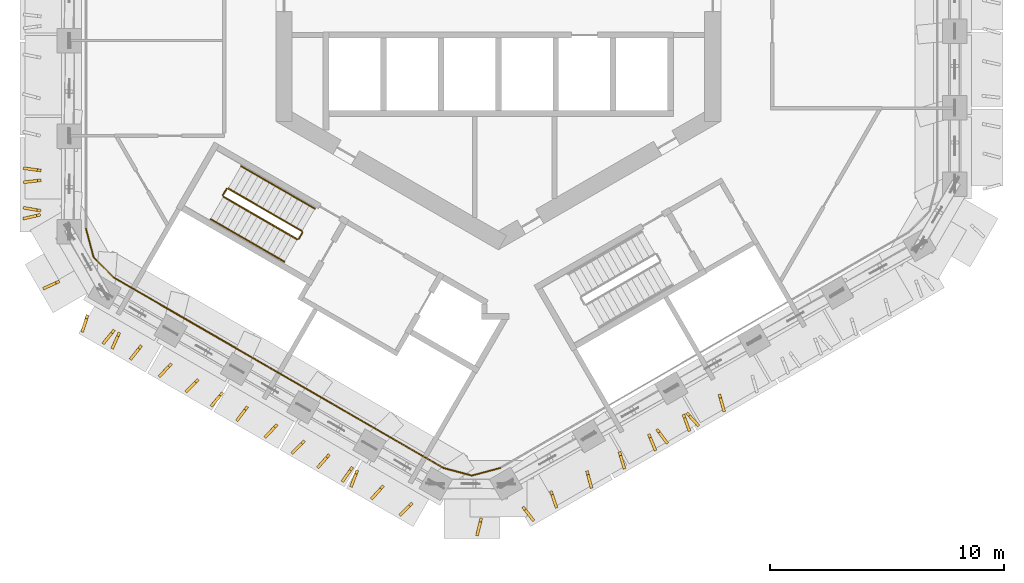
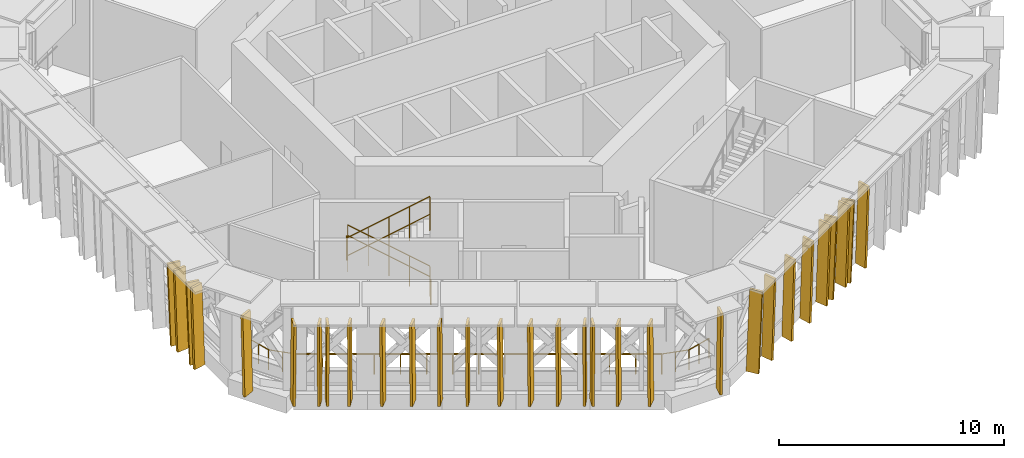
# One storey, part 14 of 18: 30 shading devices, 11 railings.
"""IFC4 building model written with IfcOpenShell, lengths in metres."""

from ifc_helpers import new_model, si_unit, direction, frame, origin, origin_2d, place, context, subcontext, project, spatial, polyline, circle, outline, extrude, material, layer, layer_set, type_object, element, save


model = new_model("IFC4")

# Units and contexts
model_context = context("Model", 3, precision=1e-05, world=origin(), true_north=direction((0.0, 1.0)))
body_context = subcontext(model_context, "Body", "Model", "MODEL_VIEW")
ifc_project = project(units=[si_unit("LENGTHUNIT", "METRE"), si_unit("AREAUNIT", "SQUARE_METRE"), si_unit("VOLUMEUNIT", "CUBIC_METRE"), si_unit("PLANEANGLEUNIT", "RADIAN"), si_unit("MASSUNIT", "GRAM", prefix="KILO")], contexts=[model_context])

# Site, building, storey
site_placement = place(None, origin())
site = spatial("IfcSite", under=ifc_project, at=site_placement, CompositionType="ELEMENT")
building_placement = place(site_placement, origin())
building = spatial("IfcBuilding", under=site, at=building_placement, Name="Ayvan Gate Tower", CompositionType="ELEMENT")
storey_placement = place(building_placement, frame((0.0, 0.0, 147.89990234375)))
storey = spatial("IfcBuildingStorey", under=building, at=storey_placement, Name="L39", CompositionType="ELEMENT", Elevation=147.89990234375)

# Shading devices
ifc_material_1 = material(Name="Bronze anodised aluminium", Category="aluminium")
ifc_layer = layer(ifc_material_1, 0.1201171875)
ifc_layer_set = layer_set([ifc_layer], Name="Bronze anodised aluminium")
shading_device_type = type_object("IfcShadingDeviceType", Name="Bronze fin 600 x 120", PredefinedType="USERDEFINED", material=ifc_layer_set)
shading_device_1_placement = place(storey_placement, frame((-19.513671875, -7.524169921875, 0.0), z_axis=(0.135494492905, 0.990778048717, 0.000317132544), x_axis=(-0.99077809854, 0.135494499718, 0.0)))
element("IfcShadingDevice", 1, at=shading_device_1_placement, inside=storey, type_object=shading_device_type, Name="Bronze fin FG14.3.48", ObjectType="FIN", PredefinedType="USERDEFINED", context=body_context, shape_type="SweptSolid", body=[
    extrude(outline(polyline([(0.0, 0.0), (0.6000157076051125, 3.3881317890172014e-21), (0.7654100946154888, 4.50000022628938), (0.16539438701037643, 4.50000022628938), (0.0, 0.0)])), origin(), (0.0, 0.0, -1.0), 0.1201171875),
])
shading_device_2_placement = place(storey_placement, frame((-19.523681640625, -7.938720703125, 0.0), z_axis=(-0.111302462496, 0.993786520716, 0.000336281827), x_axis=(-0.99378657691, -0.111302468767, -6.8002e-08)))
element("IfcShadingDevice", 2, at=shading_device_2_placement, inside=storey, type_object=shading_device_type, Name="Bronze fin FG14.3.49", ObjectType="FIN", PredefinedType="USERDEFINED", context=body_context, shape_type="SweptSolid", body=[
    extrude(outline(polyline([(0.0, 0.0), (0.5999053698211554, -3.3881317890172014e-21), (0.7651763973366296, 4.500000306476116), (0.1652438540611854, 4.500000224884334), (0.0, 0.0)])), origin(), (0.0, 0.0, -1.0), 0.1201171875),
])
shading_device_3_placement = place(storey_placement, frame((-19.52099609375, -9.24072265625, 0.0), z_axis=(0.17191639937, 0.985111486095, 0.000334052298), x_axis=(-0.985111541056, 0.171916408984, -6.6949e-08)))
element("IfcShadingDevice", 3, at=shading_device_3_placement, inside=storey, type_object=shading_device_type, Name="Bronze fin FG14.3.50", ObjectType="FIN", PredefinedType="USERDEFINED", context=body_context, shape_type="SweptSolid", body=[
    extrude(outline(polyline([(0.0, 0.0), (0.6000184770256822, 6.776263578034403e-21), (0.7655334164659835, 4.500000302331481), (0.16555691121983845, 4.500000221992793), (0.0, 0.0)])), origin(), (0.0, 0.0, -1.0), 0.1201171875),
])
shading_device_4_placement = place(storey_placement, frame((-19.56103515625, -9.41162109375, 0.0), z_axis=(-0.220741655641, 0.975332255432, 0.000336122757), x_axis=(-0.975332310523, -0.220741668133, 6.6694e-08)))
element("IfcShadingDevice", 4, at=shading_device_4_placement, inside=storey, type_object=shading_device_type, Name="Bronze fin FG14.3.51", ObjectType="FIN", PredefinedType="USERDEFINED", context=body_context, shape_type="SweptSolid", body=[
    extrude(outline(polyline([(0.0, 0.0), (0.6000327817674581, 0.0), (0.7653062633337754, 4.500000203160474), (0.1653273735751387, 4.500000283193839), (0.0, 0.0)])), origin(), (0.0, 0.0, -1.0), 0.1201171875),
])
shading_device_5_placement = place(storey_placement, frame((-18.764892578125, -12.258056640625, 0.0), z_axis=(-0.413864240271, 0.910338550134, 0.000338768544), x_axis=(-0.910338602371, -0.41386426402, 0.0)))
element("IfcShadingDevice", 5, at=shading_device_5_placement, inside=storey, type_object=shading_device_type, Name="Bronze fin FG14.4.52", ObjectType="FIN", PredefinedType="USERDEFINED", context=body_context, shape_type="SweptSolid", body=[
    extrude(outline(polyline([(0.0, 0.0), (0.5999334497101456, 0.0), (0.7652930887154301, 4.500000258219308), (0.16535963900528447, 4.500000258219308), (0.0, 0.0)])), origin(), (0.0, 0.0, -1.0), 0.1201171875),
])
shading_device_6_placement = place(storey_placement, frame((-17.59375, -13.73193359375, 0.0), z_axis=(-0.952791990777, 0.303623590397, 0.000371031729), x_axis=(-0.303623611296, -0.95279205636, 0.0)))
element("IfcShadingDevice", 6, at=shading_device_6_placement, inside=storey, type_object=shading_device_type, Name="Bronze fin FG14.5.53", ObjectType="FIN", PredefinedType="USERDEFINED", context=body_context, shape_type="SweptSolid", body=[
    extrude(outline(polyline([(0.0, 0.0), (0.5998509321207594, 0.0), (0.7651042424511092, 4.500000309745255), (0.16525331033034976, 4.500000309745255), (0.0, 0.0)])), origin(), (0.0, 0.0, -1.0), 0.1201171875),
])
shading_device_7_placement = place(storey_placement, frame((-16.443603515625, -14.3505859375, 0.0), z_axis=(-0.774075071317, 0.633093724556, 0.000346256683), x_axis=(-0.63309376252, -0.77407511771, -4.4603e-08)))
element("IfcShadingDevice", 7, at=shading_device_7_placement, inside=storey, type_object=shading_device_type, Name="Bronze fin FG14.5.54", ObjectType="FIN", PredefinedType="USERDEFINED", context=body_context, shape_type="SweptSolid", body=[
    extrude(outline(polyline([(0.0, 0.0), (0.5999474532143985, -1.3552527156068805e-20), (0.765454452837627, 4.500000303902316), (0.16531801644019395, 4.500000250375101), (0.0, 0.0)])), origin(), (0.0, 0.0, -1.0), 0.1201171875),
])
shading_device_8_placement = place(storey_placement, frame((-16.2333984375, -14.47412109375, 0.0), z_axis=(-0.911013260404, 0.41237692694, 0.000330902293), x_axis=(-0.412376949536, -0.911013310271, -6.1324e-08)))
element("IfcShadingDevice", 8, at=shading_device_8_placement, inside=storey, type_object=shading_device_type, Name="Bronze fin FG14.5.55", ObjectType="FIN", PredefinedType="USERDEFINED", context=body_context, shape_type="SweptSolid", body=[
    extrude(outline(polyline([(0.0, 0.0), (0.6000754464176833, 1.3552527156068805e-20), (0.7652353624240198, 4.500000293293866), (0.16526059397253168, 4.5000002197022875), (0.0, 0.0)])), origin(), (0.0, 0.0, -1.0), 0.1201171875),
])
shading_device_9_placement = place(storey_placement, frame((-15.28515625, -15.016357421875, 0.0), z_axis=(-0.782057955923, 0.62320561169, 0.000345162013), x_axis=(-0.623205648801, -0.782058002518, 4.3745e-08)))
element("IfcShadingDevice", 9, at=shading_device_9_placement, inside=storey, type_object=shading_device_type, Name="Bronze fin FG14.5.56", ObjectType="FIN", PredefinedType="USERDEFINED", context=body_context, shape_type="SweptSolid", body=[
    extrude(outline(polyline([(0.0, 0.0), (0.6002560041028668, 2.710505431213761e-20), (0.7654694995127773, 4.500000234572438), (0.16540442753943152, 4.5000002870804225), (0.0, 0.0)])), origin(), (0.0, 0.0, -1.0), 0.1201171875),
])
shading_device_10_placement = place(storey_placement, frame((-13.99755859375, -15.789306640625, 0.0), z_axis=(-0.719709892169, 0.694274852157, 0.000317452262), x_axis=(-0.694274887151, -0.719709928424, -4.4853e-08)))
element("IfcShadingDevice", 10, at=shading_device_10_placement, inside=storey, type_object=shading_device_type, Name="Bronze fin FG14.5.58", ObjectType="FIN", PredefinedType="USERDEFINED", context=body_context, shape_type="SweptSolid", body=[
    extrude(outline(polyline([(0.0, 0.0), (0.5998242458331255, 1.3552527156068805e-20), (0.7652609048804615, 4.50000026107048), (0.16526094861559174, 4.5000002072542165), (0.0, 0.0)])), origin(), (0.0, 0.0, -1.0), 0.1201171875),
])
shading_device_11_placement = place(storey_placement, frame((-12.851806640625, -16.455322265625, 0.0), z_axis=(-0.711669562345, 0.702514293533, 0.000318454211), x_axis=(-0.702514329166, -0.711669598421, -4.6102e-08)))
element("IfcShadingDevice", 11, at=shading_device_11_placement, inside=storey, type_object=shading_device_type, Name="Bronze fin FG14.5.60", ObjectType="FIN", PredefinedType="USERDEFINED", context=body_context, shape_type="SweptSolid", body=[
    extrude(outline(polyline([(0.0, 0.0), (0.6000860288348842, 0.0), (0.7653093745656978, 4.500000263461931), (0.16539485801820752, 4.5000002081392285), (0.0, 0.0)])), origin(), (0.0, 0.0, -1.0), 0.1201171875),
])
shading_device_12_placement = place(storey_placement, frame((-11.815673828125, -17.02734375, 0.0), z_axis=(-0.762420899449, 0.647081345023, 0.000324047282), x_axis=(-0.647081378985, -0.762420939489, 5.0264e-08)))
element("IfcShadingDevice", 12, at=shading_device_12_placement, inside=storey, type_object=shading_device_type, Name="Bronze fin FG14.5.62", ObjectType="FIN", PredefinedType="USERDEFINED", context=body_context, shape_type="SweptSolid", body=[
    extrude(outline(polyline([(0.0, 0.0), (0.6000088459931687, 1.3552527156068805e-20), (0.7653636149083409, 4.500000197794859), (0.16519679006288104, 4.500000258120288), (0.0, 0.0)])), origin(), (0.0, 0.0, -1.0), 0.1201171875),
])
shading_device_13_placement = place(storey_placement, frame((-10.7587890625, -17.625, 0.0), z_axis=(-0.797305761331, 0.603575520191, 0.000338192025), x_axis=(-0.603575554708, -0.797305806927, 0.0)))
element("IfcShadingDevice", 13, at=shading_device_13_placement, inside=storey, type_object=shading_device_type, Name="Bronze fin FG14.5.64", ObjectType="FIN", PredefinedType="USERDEFINED", context=body_context, shape_type="SweptSolid", body=[
    extrude(outline(polyline([(0.0, 0.0), (0.5998595271975682, 2.710505431213761e-20), (0.7652840591971097, 4.500000257341177), (0.16542453199954166, 4.500000257341177), (0.0, 0.0)])), origin(), (0.0, 0.0, -1.0), 0.1201171875),
])
shading_device_14_placement = place(storey_placement, frame((-9.48974609375, -18.385986328125, 0.0), z_axis=(-0.730215707101, 0.683216590817, 0.000333370045), x_axis=(-0.683216628793, -0.730215747666, -4.6348e-08)))
element("IfcShadingDevice", 14, at=shading_device_14_placement, inside=storey, type_object=shading_device_type, Name="Bronze fin FG14.5.66", ObjectType="FIN", PredefinedType="USERDEFINED", context=body_context, shape_type="SweptSolid", body=[
    extrude(outline(polyline([(0.0, 0.0), (0.5998847097309231, 2.710505431213761e-20), (0.7652387184696987, 4.500000285522075), (0.16517573340975553, 4.500000229907378), (0.0, 0.0)])), origin(), (0.0, 0.0, -1.0), 0.1201171875),
])
shading_device_15_placement = place(storey_placement, frame((-8.318115234375, -19.0751953125, 0.0), z_axis=(-0.707818475742, 0.706394293699, 0.000327456787), x_axis=(-0.70639433156, -0.707818513702, 4.7055e-08)))
element("IfcShadingDevice", 15, at=shading_device_15_placement, inside=storey, type_object=shading_device_type, Name="Bronze fin FG14.5.68", ObjectType="FIN", PredefinedType="USERDEFINED", context=body_context, shape_type="SweptSolid", body=[
    extrude(outline(polyline([(0.0, 0.0), (0.6000744075757728, 1.3552527156068805e-20), (0.7652863515689781, 4.500000205252326), (0.1653847512475271, 4.500000261717246), (0.0, 0.0)])), origin(), (0.0, 0.0, -1.0), 0.1201171875),
])
shading_device_16_placement = place(storey_placement, frame((-7.258544921875, -19.66552734375, 0.0), z_axis=(-0.746814102392, 0.665032770558, 0.000332493163), x_axis=(-0.665032807295, -0.746814143694, 9.5497e-08)))
element("IfcShadingDevice", 16, at=shading_device_16_placement, inside=storey, type_object=shading_device_type, Name="Bronze fin FG14.5.70", ObjectType="FIN", PredefinedType="USERDEFINED", context=body_context, shape_type="SweptSolid", body=[
    extrude(outline(polyline([(0.0, 0.0), (0.6000523376323523, -2.710505431213761e-20), (0.7652707925641444, 4.50000017566005), (0.1652384210783738, 4.500000290264945), (0.0, 0.0)])), origin(), (0.0, 0.0, -1.0), 0.1201171875),
])
shading_device_17_placement = place(storey_placement, frame((-6.27294921875, -20.210693359375, 0.0), z_axis=(-0.814502420698, 0.580160065892, 0.000323453632), x_axis=(-0.58016009624, -0.814502463305, 0.0)))
element("IfcShadingDevice", 17, at=shading_device_17_placement, inside=storey, type_object=shading_device_type, Name="Bronze fin FG14.5.72", ObjectType="FIN", PredefinedType="USERDEFINED", context=body_context, shape_type="SweptSolid", body=[
    extrude(outline(polyline([(0.0, 0.0), (0.6000835519472492, 0.0), (0.7654036165165099, 4.500000235400084), (0.1653200645692608, 4.500000235400084), (0.0, 0.0)])), origin(), (0.0, 0.0, -1.0), 0.1201171875),
])
shading_device_18_placement = place(storey_placement, frame((-6.075927734375, -20.357177734375, 0.0), z_axis=(-0.933941967908, 0.35742453444, 0.000320561615), x_axis=(-0.357424552779, -0.933942015904, 8.4202e-08)))
element("IfcShadingDevice", 18, at=shading_device_18_placement, inside=storey, type_object=shading_device_type, Name="Bronze fin FG14.5.73", ObjectType="FIN", PredefinedType="USERDEFINED", context=body_context, shape_type="SweptSolid", body=[
    extrude(outline(polyline([(0.0, 0.0), (0.6001341859998582, 1.3552527156068805e-20), (0.7653759850975435, 4.50000016676323), (0.16538255043145594, 4.500000267816455), (0.0, 0.0)])), origin(), (0.0, 0.0, -1.0), 0.1201171875),
])
shading_device_19_placement = place(storey_placement, frame((-4.951904296875, -21.0, 0.0), z_axis=(-0.741328456394, 0.671142310001, 0.000345641694), x_axis=(-0.671142350077, -0.741328500688, 5.2135e-08)))
element("IfcShadingDevice", 19, at=shading_device_19_placement, inside=storey, type_object=shading_device_type, Name="Bronze fin FG14.5.74", ObjectType="FIN", PredefinedType="USERDEFINED", context=body_context, shape_type="SweptSolid", body=[
    extrude(outline(polyline([(0.0, 0.0), (0.5999546541824934, -1.3552527156068805e-20), (0.7652689217199111, 4.500000228906227), (0.16515041442460582, 4.500000291471908), (0.0, 0.0)])), origin(), (0.0, 0.0, -1.0), 0.1201171875),
])
shading_device_20_placement = place(storey_placement, frame((-3.713623046875, -21.734130859375, 0.0), z_axis=(-0.70710673904, 0.70710673904, 0.000345266962), x_axis=(-0.707106781211, -0.707106781162, -9.9357e-08)))
element("IfcShadingDevice", 20, at=shading_device_20_placement, inside=storey, type_object=shading_device_type, Name="Bronze fin FG14.5.76", ObjectType="FIN", PredefinedType="USERDEFINED", context=body_context, shape_type="SweptSolid", body=[
    extrude(outline(polyline([(0.0, 0.0), (0.5999013829646642, 0.0), (0.7652838207139301, 4.500000344257526), (0.16538243774927763, 4.500000225048243), (0.0, 0.0)])), origin(), (0.0, 0.0, -1.0), 0.1201171875),
])
shading_device_21_placement = place(storey_placement, frame((-0.786376953125, -22.41259765625, 0.0), z_axis=(-0.970559822696, 0.240859951807, 0.000337911572), x_axis=(-0.240859965553, -0.970559878108, 1.6554e-08)))
element("IfcShadingDevice", 21, at=shading_device_21_placement, inside=storey, type_object=shading_device_type, Name="Bronze fin FG14.6.78", ObjectType="FIN", PredefinedType="USERDEFINED", context=body_context, shape_type="SweptSolid", body=[
    extrude(outline(polyline([(0.0, 0.0), (0.6001818771420989, 6.776263578034403e-21), (0.7653292695993213, 4.500000244245517), (0.16538434555246373, 4.500000264112046), (0.0, 0.0)])), origin(), (0.0, 0.0, -1.0), 0.1201171875),
])
shading_device_22_placement = place(storey_placement, frame((0.998046875, -21.974609375, 0.0), z_axis=(-0.791276008832, -0.611459044357, 0.000338999355), x_axis=(0.611459079492, -0.791276054299, 0.0)))
element("IfcShadingDevice", 22, at=shading_device_22_placement, inside=storey, type_object=shading_device_type, Name="Bronze fin FG14.7.79", ObjectType="FIN", PredefinedType="USERDEFINED", context=body_context, shape_type="SweptSolid", body=[
    extrude(outline(polyline([(0.0, 0.0), (0.6001110649628388, 2.710505431213761e-20), (0.7654333831254725, 4.500000258571288), (0.1653223181626337, 4.500000258571288), (0.0, 0.0)])), origin(), (0.0, 0.0, -1.0), 0.1201171875),
])
shading_device_23_placement = place(storey_placement, frame((2.18408203125, -21.28564453125, 0.0), z_axis=(-0.9456709062, -0.325125238405, 0.000341347803), x_axis=(0.325125257347, -0.945670961294, 0.0)))
element("IfcShadingDevice", 23, at=shading_device_23_placement, inside=storey, type_object=shading_device_type, Name="Bronze fin FG14.7.80", ObjectType="FIN", PredefinedType="USERDEFINED", context=body_context, shape_type="SweptSolid", body=[
    extrude(outline(polyline([(0.0, 0.0), (0.599979100260721, 0.0), (0.7652174746420941, 4.500000262166249), (0.16523837438137307, 4.500000262166249), (0.0, 0.0)])), origin(), (0.0, 0.0, -1.0), 0.1201171875),
])
shading_device_24_placement = place(storey_placement, frame((3.722900390625, -20.421630859375, 0.0), z_axis=(-0.965269086687, -0.261257484677, 0.000342033575), x_axis=(0.261257499959, -0.965269143149, 0.0)))
element("IfcShadingDevice", 24, at=shading_device_24_placement, inside=storey, type_object=shading_device_type, Name="Bronze fin FG14.7.82", ObjectType="FIN", PredefinedType="USERDEFINED", context=body_context, shape_type="SweptSolid", body=[
    extrude(outline(polyline([(0.0, 0.0), (0.5999379205377382, 0.0), (0.7652615542841973, 4.500000263220697), (0.16532363374645903, 4.500000263220697), (0.0, 0.0)])), origin(), (0.0, 0.0, -1.0), 0.1201171875),
])
shading_device_25_placement = place(storey_placement, frame((5.110595703125, -19.610107421875, 0.0), z_axis=(-0.958328746343, -0.285667422477, 0.000371035532), x_axis=(0.28566744214, -0.958328812309, 0.0)))
element("IfcShadingDevice", 25, at=shading_device_25_placement, inside=storey, type_object=shading_device_type, Name="Bronze fin FG14.7.84", ObjectType="FIN", PredefinedType="USERDEFINED", context=body_context, shape_type="SweptSolid", body=[
    extrude(outline(polyline([(0.0, 0.0), (0.5999518792405999, 1.3552527156068805e-20), (0.7652771307034405, 4.500000309751607), (0.16532525146284052, 4.500000309751607), (0.0, 0.0)])), origin(), (0.0, 0.0, -1.0), 0.1201171875),
])
shading_device_26_placement = place(storey_placement, frame((6.364990234375, -18.857177734375, 0.0), z_axis=(-0.924365901261, -0.381506948022, 0.000359440039), x_axis=(0.381506972654, -0.924365960979, -3.9713e-08)))
element("IfcShadingDevice", 26, at=shading_device_26_placement, inside=storey, type_object=shading_device_type, Name="Bronze fin FG14.7.86", ObjectType="FIN", PredefinedType="USERDEFINED", context=body_context, shape_type="SweptSolid", body=[
    extrude(outline(polyline([(0.0, 0.0), (0.5997820143456538, -2.710505431213761e-20), (0.7652856704536908, 4.500000321085209), (0.16518483947384932, 4.500000273434546), (0.0, 0.0)])), origin(), (0.0, 0.0, -1.0), 0.1201171875),
])
shading_device_27_placement = place(storey_placement, frame((6.720458984375, -18.664794921875, 0.0), z_axis=(-0.803308364197, -0.595563217327, 0.000355215355), x_axis=(0.595563254884, -0.80330841489, -5.8067e-08)))
element("IfcShadingDevice", 27, at=shading_device_27_placement, inside=storey, type_object=shading_device_type, Name="Bronze fin FG14.7.87", ObjectType="FIN", PredefinedType="USERDEFINED", context=body_context, shape_type="SweptSolid", body=[
    extrude(outline(polyline([(0.0, 0.0), (0.5998632453336878, 1.3552527156068805e-20), (0.7652369867865288, 4.500000328335686), (0.16522834026756655, 4.50000025866233), (0.0, 0.0)])), origin(), (0.0, 0.0, -1.0), 0.1201171875),
])
shading_device_28_placement = place(storey_placement, frame((7.843017578125, -18.013427734375, 0.0), z_axis=(-0.939745833095, -0.341873754785, 0.000323990989), x_axis=(0.341873772729, -0.939745882417, 0.0)))
element("IfcShadingDevice", 28, at=shading_device_28_placement, inside=storey, type_object=shading_device_type, Name="Bronze fin FG14.7.88", ObjectType="FIN", PredefinedType="USERDEFINED", context=body_context, shape_type="SweptSolid", body=[
    extrude(outline(polyline([(0.0, 0.0), (0.5998650418929744, 0.0), (0.7651050256794153, 4.500000236182881), (0.16523998378644086, 4.500000236182881), (0.0, 0.0)])), origin(), (0.0, 0.0, -1.0), 0.1201171875),
])
shading_device_29_placement = place(storey_placement, frame((7.9970703125, -17.97021484375, 0.0), z_axis=(-0.733937136758, -0.679217322516, 0.000328757597), x_axis=(0.679217359233, -0.73393717641, 4.9076e-08)))
element("IfcShadingDevice", 29, at=shading_device_29_placement, inside=storey, type_object=shading_device_type, Name="Bronze fin FG14.7.89", ObjectType="FIN", PredefinedType="USERDEFINED", context=body_context, shape_type="SweptSolid", body=[
    extrude(outline(polyline([(0.0, 0.0), (0.6001747207428181, -2.710505431213761e-20), (0.7654551863723518, 4.500000205618234), (0.1654462901801277, 4.5000002645181585), (0.0, 0.0)])), origin(), (0.0, 0.0, -1.0), 0.1201171875),
])
shading_device_30_placement = place(storey_placement, frame((9.379638671875, -17.153076171875, 0.0), z_axis=(-0.963785485664, -0.266678508169, 0.000333023234), x_axis=(0.266678522978, -0.963785539102, 6.5285e-08)))
element("IfcShadingDevice", 30, at=shading_device_30_placement, inside=storey, type_object=shading_device_type, Name="Bronze fin FG14.7.90", ObjectType="FIN", PredefinedType="USERDEFINED", context=body_context, shape_type="SweptSolid", body=[
    extrude(outline(polyline([(0.0, 0.0), (0.600134046192962, -6.776263578034403e-21), (0.7654240351020478, 4.500000199564009), (0.16535509597035983, 4.50000027791986), (0.0, 0.0)])), origin(), (0.0, 0.0, -1.0), 0.1201171875),
])

# Railings
ifc_material_2 = material(Name="Stainless steel balustrade", Category="steel")
railing_type_1 = type_object("IfcRailingType", Name="RL-GUARD-1100", PredefinedType="GUARDRAIL", material=ifc_material_2)
railing_1_placement = place(storey_placement, frame((-8.381103515625, -10.16650390625, 0.171630859375)))
element("IfcRailing", 31, at=railing_1_placement, inside=storey, type_object=railing_type_1, Name="L39 STS2 stair guard 1", PredefinedType="GUARDRAIL", context=body_context, shape_type="SweptSolid", body=[
    extrude(circle(Radius=0.02392578125, at=origin_2d()), frame((0.0, 0.0, 1.076171875), z_axis=(-0.738592093898, 0.426440834883, 0.522139764025), x_axis=(-0.500012742938, -0.866018046521, 0.0)), (0.0, 0.0, 1.0), 4.26806640625),
    extrude(circle(Radius=0.02099609375, at=origin_2d()), origin(), (0.0, 0.0, 1.0), 1.052001953125),
    extrude(circle(Radius=0.02099609375, at=origin_2d()), frame((-0.7880859375, 0.455078125, 0.55712890625)), (0.0, 0.0, 1.0), 1.052001953125),
    extrude(circle(Radius=0.02099609375, at=origin_2d()), frame((-1.576171875, 0.91015625, 1.1142578125)), (0.0, 0.0, 1.0), 1.052001953125),
    extrude(circle(Radius=0.02099609375, at=origin_2d()), frame((-2.3642578125, 1.364990234375, 1.67138671875)), (0.0, 0.0, 1.0), 1.052001953125),
    extrude(circle(Radius=0.02099609375, at=origin_2d()), frame((-3.15234375, 1.820068359375, 2.228515625)), (0.0, 0.0, 1.0), 1.052001953125),
])
railing_2_placement = place(storey_placement, frame((-11.601806640625, -8.36474609375, 2.400146484375)))
element("IfcRailing", 32, at=railing_2_placement, inside=storey, type_object=railing_type_1, Name="L39 STS2 stair guard 2", PredefinedType="GUARDRAIL", context=body_context, shape_type="SweptSolid", body=[
    extrude(circle(Radius=0.02392578125, at=origin_2d()), frame((0.0, 0.0, 1.076171875), z_axis=(-0.499949632511, -0.866054481515, 0.0), x_axis=(0.866054481515, -0.499949632511, 0.0)), (0.0, 0.0, 1.0), 0.31005859375),
    extrude(circle(Radius=0.02099609375, at=origin_2d()), origin(), (0.0, 0.0, 1.0), 1.052001953125),
    extrude(circle(Radius=0.02099609375, at=origin_2d()), frame((-0.155029296875, -0.2685546875, 0.0)), (0.0, 0.0, 1.0), 1.052001953125),
])
railing_3_placement = place(storey_placement, frame((-11.738525390625, -8.70166015625, 2.571533203125)))
element("IfcRailing", 33, at=railing_3_placement, inside=storey, type_object=railing_type_1, Name="L39 STS2 stair guard 3", PredefinedType="GUARDRAIL", context=body_context, shape_type="SweptSolid", body=[
    extrude(circle(Radius=0.02392578125, at=origin_2d()), frame((0.0, 0.0, 1.076171875), z_axis=(0.738610110021, -0.426394033464, 0.52215250033), x_axis=(0.499962438169, 0.866047089031, 0.0)), (0.0, 0.0, 1.0), 4.267822265625),
    extrude(circle(Radius=0.02099609375, at=origin_2d()), origin(), (0.0, 0.0, 1.0), 1.052001953125),
    extrude(circle(Radius=0.02099609375, at=origin_2d()), frame((0.7880859375, -0.455078125, 0.55712890625)), (0.0, 0.0, 1.0), 1.052001953125),
    extrude(circle(Radius=0.02099609375, at=origin_2d()), frame((1.576171875, -0.909912109375, 1.1142578125)), (0.0, 0.0, 1.0), 1.052001953125),
    extrude(circle(Radius=0.02099609375, at=origin_2d()), frame((2.3642578125, -1.36474609375, 1.67138671875)), (0.0, 0.0, 1.0), 1.052001953125),
    extrude(circle(Radius=0.02099609375, at=origin_2d()), frame((3.15234375, -1.81982421875, 2.228515625)), (0.0, 0.0, 1.0), 1.052001953125),
])
railing_4_placement = place(storey_placement, frame((-8.36279296875, -10.23486328125, 0.0)))
element("IfcRailing", 34, at=railing_4_placement, inside=storey, type_object=railing_type_1, Name="L39 STS2 stair guard 4", PredefinedType="GUARDRAIL", context=body_context, shape_type="SweptSolid", body=[
    extrude(circle(Radius=0.02392578125, at=origin_2d()), frame((0.0, 0.0, 1.076171875), z_axis=(-0.500290723946, -0.86585748916, 0.0), x_axis=(0.86585748916, -0.500290723946, 0.0)), (0.0, 0.0, 1.0), 0.309814453125),
    extrude(circle(Radius=0.02099609375, at=origin_2d()), origin(), (0.0, 0.0, 1.0), 1.052001953125),
    extrude(circle(Radius=0.02099609375, at=origin_2d()), frame((-0.155029296875, -0.268310546875, 0.0)), (0.0, 0.0, 1.0), 1.052001953125),
])
railing_type_2 = type_object("IfcRailingType", Name="RL-HANDRAIL-900", PredefinedType="HANDRAIL", material=ifc_material_2)
railing_5_placement = place(storey_placement, frame((-7.8310546875, -9.2138671875, 0.171630859375)))
element("IfcRailing", 35, at=railing_5_placement, inside=storey, type_object=railing_type_2, Name="L39 STS2 stair handrail 1", PredefinedType="HANDRAIL", context=body_context, shape_type="SweptSolid", body=[
    extrude(circle(Radius=0.02392578125, at=origin_2d()), frame((0.0, 0.0, 0.8759765625), z_axis=(-0.738610110021, 0.426394033464, 0.52215250033), x_axis=(-0.499962438169, -0.866047089031, 0.0)), (0.0, 0.0, 1.0), 2.134033203125),
    extrude(circle(Radius=0.02099609375, at=origin_2d()), origin(), (0.0, 0.0, 1.0), 0.851806640625),
    extrude(circle(Radius=0.02099609375, at=origin_2d()), frame((-0.7880859375, 0.455078125, 0.55712890625)), (0.0, 0.0, 1.0), 0.851806640625),
    extrude(circle(Radius=0.02099609375, at=origin_2d()), frame((-1.576171875, 0.909912109375, 1.1142578125)), (0.0, 0.0, 1.0), 0.851806640625),
])
railing_6_placement = place(storey_placement, frame((-9.4072265625, -8.303955078125, 1.285888671875)))
element("IfcRailing", 36, at=railing_6_placement, inside=storey, type_object=railing_type_2, Name="L39 STS2 stair handrail 2", PredefinedType="HANDRAIL", context=body_context, shape_type="SweptSolid", body=[
    extrude(circle(Radius=0.02392578125, at=origin_2d()), frame((0.0, 0.0, 0.8759765625), z_axis=(-0.738574076676, 0.426487632876, 0.522127026944), x_axis=(-0.500063042646, -0.865989003036, 0.0)), (0.0, 0.0, 1.0), 2.134033203125),
    extrude(circle(Radius=0.02099609375, at=origin_2d()), origin(), (0.0, 0.0, 1.0), 0.851806640625),
    extrude(circle(Radius=0.02099609375, at=origin_2d()), frame((-0.7880859375, 0.455078125, 0.55712890625)), (0.0, 0.0, 1.0), 0.851806640625),
    extrude(circle(Radius=0.02099609375, at=origin_2d()), frame((-1.576171875, 0.91015625, 1.1142578125)), (0.0, 0.0, 1.0), 0.851806640625),
])
for number, where, name in (
    (37, (-12.288330078125, -9.654296875, 2.571533203125), "L39 STS2 stair handrail 3"),
    (38, (-10.712158203125, -10.564208984375, 3.685791015625), "L39 STS2 stair handrail 4"),
):
    element("IfcRailing", number, at=place(storey_placement, frame(where)), inside=storey, type_object=railing_type_2, Name=name, PredefinedType="HANDRAIL", context=body_context, shape_type="SweptSolid", body=[
        extrude(circle(Radius=0.02392578125, at=origin_2d()), frame((0.0, 0.0, 0.8759765625), z_axis=(0.738610110021, -0.426394033464, 0.52215250033), x_axis=(0.499962438169, 0.866047089031, 0.0)), (0.0, 0.0, 1.0), 2.134033203125),
        extrude(circle(Radius=0.02099609375, at=origin_2d()), origin(), (0.0, 0.0, 1.0), 0.851806640625),
        extrude(circle(Radius=0.02099609375, at=origin_2d()), frame((0.7880859375, -0.455078125, 0.55712890625)), (0.0, 0.0, 1.0), 0.851806640625),
        extrude(circle(Radius=0.02099609375, at=origin_2d()), frame((1.576171875, -0.909912109375, 1.1142578125)), (0.0, 0.0, 1.0), 0.851806640625),
    ])
ifc_material_3 = material(Name="Stainless steel 316 and laminated glass", Category="steel")
railing_type_3 = type_object("IfcRailingType", Name="Refuge band guard 1100", PredefinedType="GUARDRAIL", material=ifc_material_3)
railing_7_placement = place(storey_placement, frame((-17.6044921875, -10.072265625, 0.0)))
element("IfcRailing", 39, at=railing_7_placement, inside=storey, type_object=railing_type_3, Name="Refuge band guard L39.4", PredefinedType="GUARDRAIL", context=body_context, shape_type="SweptSolid", body=[
    extrude(circle(Radius=0.02490234375, at=origin_2d()), frame((0.0, 0.0, 1.0751953125), z_axis=(0.258911363806, -0.965901084838, 0.0), x_axis=(0.965901084838, 0.258911363806, 0.0)), (0.0, 0.0, 1.0), 1.253173828125),
    extrude(circle(Radius=0.02490234375, at=origin_2d()), frame((0.324462890625, -1.21044921875, 1.0751953125), z_axis=(0.707009363432, -0.707204185522, 0.0), x_axis=(0.707204185522, 0.707009363432, 0.0)), (0.0, 0.0, 1.0), 1.253173828125),
    extrude(circle(Radius=0.02001953125, at=origin_2d()), origin(), (0.0, 0.0, 1.0), 1.050048828125),
    extrude(circle(Radius=0.02001953125, at=origin_2d()), frame((0.162109375, -0.605224609375, 0.0)), (0.0, 0.0, 1.0), 1.050048828125),
    extrude(circle(Radius=0.02001953125, at=origin_2d()), frame((0.324462890625, -1.21044921875, 0.0)), (0.0, 0.0, 1.0), 1.050048828125),
    extrude(circle(Radius=0.02001953125, at=origin_2d()), frame((0.767578125, -1.653564453125, 0.0)), (0.0, 0.0, 1.0), 1.050048828125),
    extrude(circle(Radius=0.02001953125, at=origin_2d()), frame((1.21044921875, -2.0966796875, 0.0)), (0.0, 0.0, 1.0), 1.050048828125),
])
railing_8_placement = place(storey_placement, frame((-16.39404296875, -12.1689453125, 0.0)))
element("IfcRailing", 40, at=railing_8_placement, inside=storey, type_object=railing_type_3, Name="Refuge band guard L39.5", PredefinedType="GUARDRAIL", context=body_context, shape_type="SweptSolid", body=[
    extrude(circle(Radius=0.02490234375, at=origin_2d()), frame((0.0, 0.0, 1.0751953125), z_axis=(0.86602999131, -0.499992054088, 0.0), x_axis=(0.499992054088, 0.86602999131, 0.0)), (0.0, 0.0, 1.0), 16.226318359375),
    extrude(circle(Radius=0.02001953125, at=origin_2d()), origin(), (0.0, 0.0, 1.0), 1.050048828125),
    extrude(circle(Radius=0.02001953125, at=origin_2d()), frame((1.003662109375, -0.57958984375, 0.0)), (0.0, 0.0, 1.0), 1.050048828125),
    extrude(circle(Radius=0.02001953125, at=origin_2d()), frame((2.007568359375, -1.158935546875, 0.0)), (0.0, 0.0, 1.0), 1.050048828125),
    extrude(circle(Radius=0.02001953125, at=origin_2d()), frame((3.01123046875, -1.738525390625, 0.0)), (0.0, 0.0, 1.0), 1.050048828125),
    extrude(circle(Radius=0.02001953125, at=origin_2d()), frame((4.014892578125, -2.318115234375, 0.0)), (0.0, 0.0, 1.0), 1.050048828125),
    extrude(circle(Radius=0.02001953125, at=origin_2d()), frame((5.018798828125, -2.8974609375, 0.0)), (0.0, 0.0, 1.0), 1.050048828125),
    extrude(circle(Radius=0.02001953125, at=origin_2d()), frame((6.0224609375, -3.47705078125, 0.0)), (0.0, 0.0, 1.0), 1.050048828125),
    extrude(circle(Radius=0.02001953125, at=origin_2d()), frame((7.0263671875, -4.056640625, 0.0)), (0.0, 0.0, 1.0), 1.050048828125),
    extrude(circle(Radius=0.02001953125, at=origin_2d()), frame((8.030029296875, -4.635986328125, 0.0)), (0.0, 0.0, 1.0), 1.050048828125),
    extrude(circle(Radius=0.02001953125, at=origin_2d()), frame((9.03369140625, -5.215576171875, 0.0)), (0.0, 0.0, 1.0), 1.050048828125),
    extrude(circle(Radius=0.02001953125, at=origin_2d()), frame((10.03759765625, -5.794921875, 0.0)), (0.0, 0.0, 1.0), 1.050048828125),
    extrude(circle(Radius=0.02001953125, at=origin_2d()), frame((11.041259765625, -6.37451171875, 0.0)), (0.0, 0.0, 1.0), 1.050048828125),
    extrude(circle(Radius=0.02001953125, at=origin_2d()), frame((12.044921875, -6.9541015625, 0.0)), (0.0, 0.0, 1.0), 1.050048828125),
    extrude(circle(Radius=0.02001953125, at=origin_2d()), frame((13.048828125, -7.533447265625, 0.0)), (0.0, 0.0, 1.0), 1.050048828125),
    extrude(circle(Radius=0.02001953125, at=origin_2d()), frame((14.052490234375, -8.113037109375, 0.0)), (0.0, 0.0, 1.0), 1.050048828125),
])
railing_9_placement = place(storey_placement, frame((-2.341552734375, -20.281982421875, 0.0)))
element("IfcRailing", 41, at=railing_9_placement, inside=storey, type_object=railing_type_3, Name="Refuge band guard L39.6", PredefinedType="GUARDRAIL", context=body_context, shape_type="SweptSolid", body=[
    extrude(circle(Radius=0.02490234375, at=origin_2d()), frame((0.0, 0.0, 1.0751953125), z_axis=(0.965901084838, -0.258911363806, 0.0), x_axis=(0.258911363806, 0.965901084838, 0.0)), (0.0, 0.0, 1.0), 1.253173828125),
    extrude(circle(Radius=0.02490234375, at=origin_2d()), frame((1.21044921875, -0.324462890625, 1.0751953125), z_axis=(0.965901084838, 0.258911363806, 0.0), x_axis=(-0.258911363806, 0.965901084838, 0.0)), (0.0, 0.0, 1.0), 1.253173828125),
    extrude(circle(Radius=0.02001953125, at=origin_2d()), origin(), (0.0, 0.0, 1.0), 1.050048828125),
    extrude(circle(Radius=0.02001953125, at=origin_2d()), frame((0.605224609375, -0.162109375, 0.0)), (0.0, 0.0, 1.0), 1.050048828125),
    extrude(circle(Radius=0.02001953125, at=origin_2d()), frame((1.21044921875, -0.324462890625, 0.0)), (0.0, 0.0, 1.0), 1.050048828125),
    extrude(circle(Radius=0.02001953125, at=origin_2d()), frame((1.815673828125, -0.162109375, 0.0)), (0.0, 0.0, 1.0), 1.050048828125),
    extrude(circle(Radius=0.02001953125, at=origin_2d()), frame((2.4208984375, 0.0, 0.0)), (0.0, 0.0, 1.0), 1.050048828125),
])

save(model, "model.ifc")
